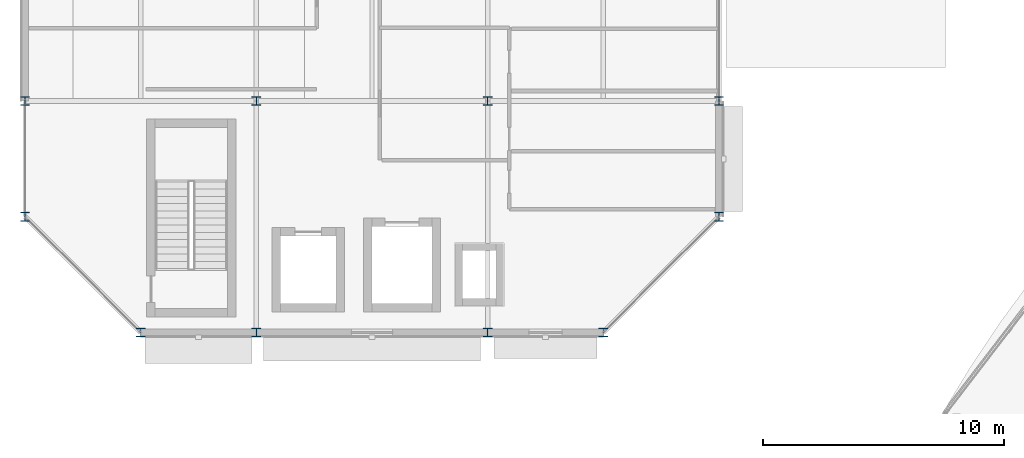
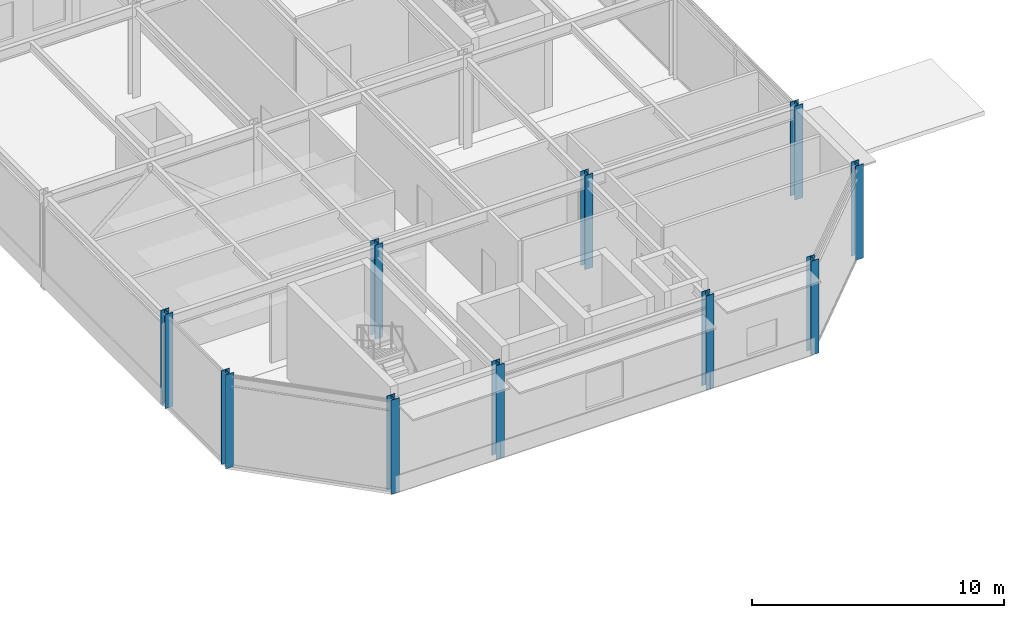
# One storey, part 9 of 133: 10 columns.
"""IFC4 building model written with IfcOpenShell, lengths in metres."""

from ifc_helpers import new_model, si_unit, direction, frame, origin, origin_2d, place, context, subcontext, project, spatial, i_section, extrude, material, material_profile, profile_set, type_object, element, save


model = new_model("IFC4")

# Units and contexts
model_context = context("Model", 3, precision=1e-05, world=origin(), true_north=direction((0.0, 1.0)))
body_context = subcontext(model_context, "Body", "Model", "MODEL_VIEW")
ifc_project = project(units=[si_unit("LENGTHUNIT", "METRE"), si_unit("AREAUNIT", "SQUARE_METRE"), si_unit("VOLUMEUNIT", "CUBIC_METRE"), si_unit("PLANEANGLEUNIT", "RADIAN"), si_unit("MASSUNIT", "GRAM", prefix="KILO")], contexts=[model_context])

# Site, building, storey
site_placement = place(None, origin())
site = spatial("IfcSite", under=ifc_project, at=site_placement, CompositionType="ELEMENT")
building_placement = place(site_placement, origin())
building = spatial("IfcBuilding", under=site, at=building_placement, Name="Almandine Court Research Institute", CompositionType="ELEMENT")
storey_placement = place(building_placement, frame((0.0, 0.0, 9.800048828125)))
storey = spatial("IfcBuildingStorey", under=building, at=storey_placement, Name="L02", CompositionType="ELEMENT", Elevation=9.800048828125)

# Columns
ifc_material = material(Name="Steel ASTM A992 Grade 50", Category="steel")
ifc_material_profile_1 = material_profile(ifc_material, i_section(OverallWidth=0.3701171875, OverallDepth=0.360107421875, WebThickness=0.013916015625, FlangeThickness=0.02197265625, at=origin_2d()), Name="W360x147")
ifc_profile_set_1 = profile_set([ifc_material_profile_1], Name="Steel ASTM A992 Grade 50")
column_type_1 = type_object("IfcColumnType", Name="Col-C-W04", PredefinedType="COLUMN", material=ifc_profile_set_1)
for number, where, z_axis, x_axis, name in (
    (1, (15.60009765625, 93.60009765625, 0.0), (0.0, 0.0, 1.0), (1.0, 0.0, 0.0), "L02 V3 Column V3-X2Y2"),
    (2, (25.199951171875, 93.60009765625, 0.0), (0.0, 0.0, 1.0), (1.0, 0.0, 0.0), "L02 V3 Column V3-X3Y2"),
):
    element("IfcColumn", number, at=place(storey_placement, frame(where, z_axis=z_axis, x_axis=x_axis)), inside=storey, type_object=column_type_1, Name=name, PredefinedType="COLUMN", context=body_context, shape_type="SweptSolid", body=[
        extrude(i_section(OverallWidth=0.3701171875, OverallDepth=0.360107421875, WebThickness=0.013916015625, FlangeThickness=0.02197265625, at=origin_2d()), origin(), (0.0, 0.0, 1.0), 4.550048828125),
    ])
ifc_material_profile_2 = material_profile(ifc_material, i_section(OverallWidth=0.3701171875, OverallDepth=0.360107421875, WebThickness=0.013916015625, FlangeThickness=0.02197265625, at=origin_2d()), Name="W360x147")
ifc_profile_set_2 = profile_set([ifc_material_profile_2], Name="Steel ASTM A992 Grade 50")
column_type_2 = type_object("IfcColumnType", Name="Col-C-W04-E", PredefinedType="COLUMN", material=ifc_profile_set_2)
for number, where, z_axis, x_axis, name in (
    (3, (6.0, 93.60009765625, 0.0), (0.0, 0.0, 1.0), (1.0, 0.0, 0.0), "L02 V3 Column V3-X1Y2"),
    (4, (15.60009765625, 84.0, 0.0), (0.0, 0.0, 1.0), (1.0, 0.0, 0.0), "L02 V3 Column V3-X2Y1"),
    (5, (25.199951171875, 84.0, 0.0), (0.0, 0.0, 1.0), (1.0, 0.0, 0.0), "L02 V3 Column V3-X3Y1"),
    (6, (34.800048828125, 93.60009765625, 0.0), (0.0, 0.0, 1.0), (1.0, 0.0, 0.0), "L02 V3 Column V3-X4Y2"),
    (7, (10.800048828125, 84.0, 0.0), (0.0, 0.0, 1.0), (1.0, 0.0, 0.0), "L02 V3 Column V3-CH1"),
    (8, (30.0, 84.0, 0.0), (0.0, 0.0, 1.0), (1.0, 0.0, 0.0), "L02 V3 Column V3-CH2"),
    (9, (34.800048828125, 88.800048828125, 0.0), (0.0, 0.0, 1.0), (1.0, 0.0, 0.0), "L02 V3 Column V3-CH3"),
    (10, (6.0, 88.800048828125, 0.0), (0.0, 0.0, 1.0), (1.0, 0.0, 0.0), "L02 V3 Column V3-CH8"),
):
    element("IfcColumn", number, at=place(storey_placement, frame(where, z_axis=z_axis, x_axis=x_axis)), inside=storey, type_object=column_type_2, Name=name, PredefinedType="COLUMN", context=body_context, shape_type="SweptSolid", body=[
        extrude(i_section(OverallWidth=0.3701171875, OverallDepth=0.360107421875, WebThickness=0.013916015625, FlangeThickness=0.02197265625, at=origin_2d()), origin(), (0.0, 0.0, 1.0), 4.550048828125),
    ])

save(model, "model.ifc")
